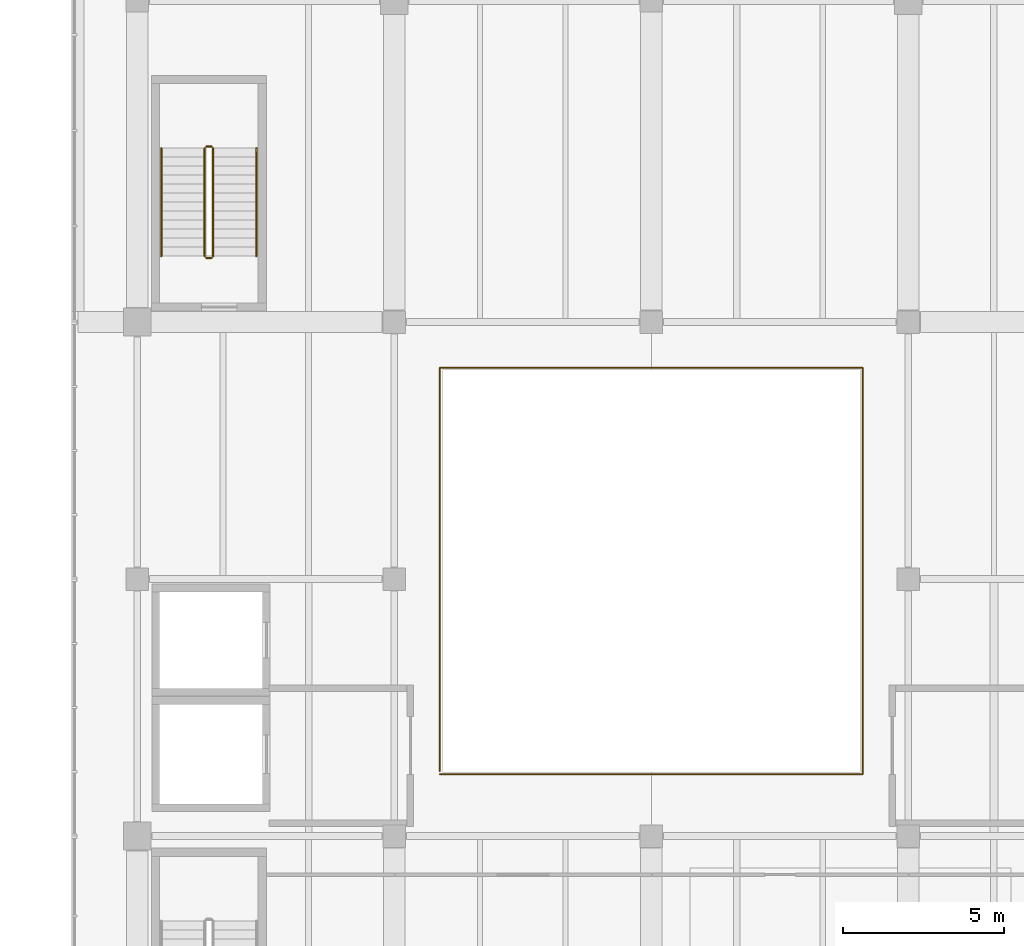
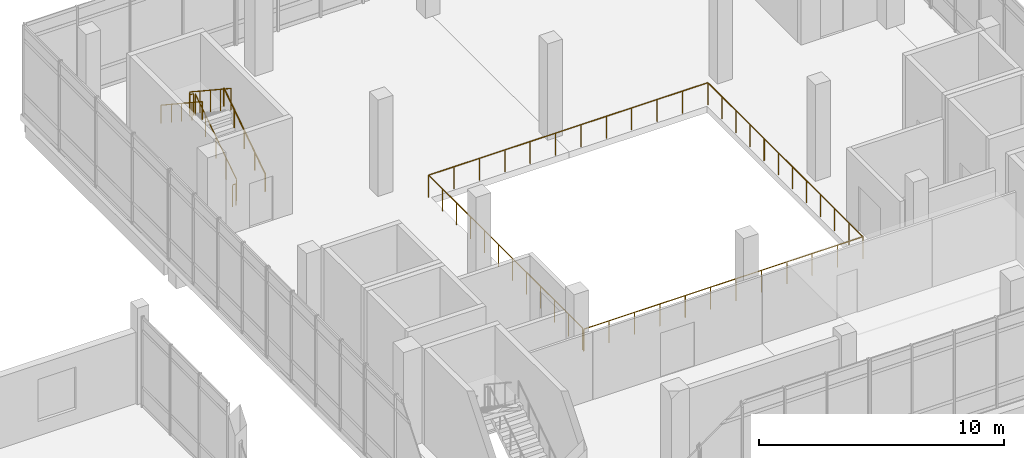
# One storey, part 45 of 47: 7 railings.
"""IFC4 building model written with IfcOpenShell, lengths in metres."""

from ifc_helpers import new_model, si_unit, direction, frame, origin, origin_2d, place, context, subcontext, project, spatial, circle, extrude, material, type_object, element, save


model = new_model("IFC4")

# Units and contexts
model_context = context("Model", 3, precision=1e-05, world=origin(), true_north=direction((0.0, 1.0)))
body_context = subcontext(model_context, "Body", "Model", "MODEL_VIEW")
ifc_project = project(units=[si_unit("LENGTHUNIT", "METRE"), si_unit("AREAUNIT", "SQUARE_METRE"), si_unit("VOLUMEUNIT", "CUBIC_METRE"), si_unit("PLANEANGLEUNIT", "RADIAN"), si_unit("MASSUNIT", "GRAM", prefix="KILO")], contexts=[model_context])

# Site, building, storey
site_placement = place(None, origin())
site = spatial("IfcSite", under=ifc_project, at=site_placement, CompositionType="ELEMENT")
building_placement = place(site_placement, origin())
building = spatial("IfcBuilding", under=site, at=building_placement, Name="Pecanmere Concourse Central Library", CompositionType="ELEMENT")
storey_placement = place(building_placement, frame((0.0, 0.0, 15.300048828125)))
storey = spatial("IfcBuildingStorey", under=building, at=storey_placement, Name="L04", CompositionType="ELEMENT", Elevation=15.300048828125)

# Railings
ifc_material_1 = material(Name="Architectural anodized bronze")
railing_type_1 = type_object("IfcRailingType", Name="RAIL_ATRIUM_BAL", PredefinedType="BALUSTRADE", material=ifc_material_1)
railing_1_placement = place(storey_placement, frame((81.419921875, 99.919921875, 0.0)))
element("IfcRailing", 1, at=railing_1_placement, inside=storey, type_object=railing_type_1, Name="Atrium Void Balustrade L04", PredefinedType="BALUSTRADE", context=body_context, shape_type="SweptSolid", body=[
    extrude(circle(Radius=0.02392578125, at=origin_2d()), frame((0.0, 0.0, 1.09619140625), z_axis=(1.0, 0.0, 0.0), x_axis=(0.0, 1.0, 0.0)), (0.0, 0.0, 1.0), 13.16015625),
    extrude(circle(Radius=0.02392578125, at=origin_2d()), frame((13.16015625, 0.0, 1.09619140625), z_axis=(0.0, 1.0, 0.0), x_axis=(-1.0, 0.0, 0.0)), (0.0, 0.0, 1.0), 12.66015625),
    extrude(circle(Radius=0.02392578125, at=origin_2d()), frame((13.16015625, 12.66015625, 1.09619140625), z_axis=(-1.0, 0.0, 0.0), x_axis=(0.0, -1.0, 0.0)), (0.0, 0.0, 1.0), 13.16015625),
    extrude(circle(Radius=0.02392578125, at=origin_2d()), frame((0.0, 12.66015625, 1.09619140625), z_axis=(0.0, -1.0, 0.0), x_axis=(1.0, 0.0, 0.0)), (0.0, 0.0, 1.0), 12.56005859375),
    extrude(circle(Radius=0.02099609375, at=origin_2d()), origin(), (0.0, 0.0, 1.0), 1.072021484375),
    extrude(circle(Radius=0.02099609375, at=origin_2d()), frame((1.1962890625, 0.0, 0.0)), (0.0, 0.0, 1.0), 1.072021484375),
    extrude(circle(Radius=0.02099609375, at=origin_2d()), frame((2.392822265625, 0.0, 0.0)), (0.0, 0.0, 1.0), 1.072021484375),
    extrude(circle(Radius=0.02099609375, at=origin_2d()), frame((3.589111328125, 0.0, 0.0)), (0.0, 0.0, 1.0), 1.072021484375),
    extrude(circle(Radius=0.02099609375, at=origin_2d()), frame((4.785400390625, 0.0, 0.0)), (0.0, 0.0, 1.0), 1.072021484375),
    extrude(circle(Radius=0.02099609375, at=origin_2d()), frame((5.98193359375, 0.0, 0.0)), (0.0, 0.0, 1.0), 1.072021484375),
    extrude(circle(Radius=0.02099609375, at=origin_2d()), frame((7.17822265625, 0.0, 0.0)), (0.0, 0.0, 1.0), 1.072021484375),
    extrude(circle(Radius=0.02099609375, at=origin_2d()), frame((8.374755859375, 0.0, 0.0)), (0.0, 0.0, 1.0), 1.072021484375),
    extrude(circle(Radius=0.02099609375, at=origin_2d()), frame((9.571044921875, 0.0, 0.0)), (0.0, 0.0, 1.0), 1.072021484375),
    extrude(circle(Radius=0.02099609375, at=origin_2d()), frame((10.767333984375, 0.0, 0.0)), (0.0, 0.0, 1.0), 1.072021484375),
    extrude(circle(Radius=0.02099609375, at=origin_2d()), frame((11.9638671875, 0.0, 0.0)), (0.0, 0.0, 1.0), 1.072021484375),
    extrude(circle(Radius=0.02099609375, at=origin_2d()), frame((13.16015625, 0.0, 0.0)), (0.0, 0.0, 1.0), 1.072021484375),
    extrude(circle(Radius=0.02099609375, at=origin_2d()), frame((13.16015625, 1.15087890625, 0.0)), (0.0, 0.0, 1.0), 1.072021484375),
    extrude(circle(Radius=0.02099609375, at=origin_2d()), frame((13.16015625, 2.3017578125, 0.0)), (0.0, 0.0, 1.0), 1.072021484375),
    extrude(circle(Radius=0.02099609375, at=origin_2d()), frame((13.16015625, 3.452880859375, 0.0)), (0.0, 0.0, 1.0), 1.072021484375),
    extrude(circle(Radius=0.02099609375, at=origin_2d()), frame((13.16015625, 4.603759765625, 0.0)), (0.0, 0.0, 1.0), 1.072021484375),
    extrude(circle(Radius=0.02099609375, at=origin_2d()), frame((13.16015625, 5.754638671875, 0.0)), (0.0, 0.0, 1.0), 1.072021484375),
    extrude(circle(Radius=0.02099609375, at=origin_2d()), frame((13.16015625, 6.905517578125, 0.0)), (0.0, 0.0, 1.0), 1.072021484375),
    extrude(circle(Radius=0.02099609375, at=origin_2d()), frame((13.16015625, 8.056396484375, 0.0)), (0.0, 0.0, 1.0), 1.072021484375),
    extrude(circle(Radius=0.02099609375, at=origin_2d()), frame((13.16015625, 9.207275390625, 0.0)), (0.0, 0.0, 1.0), 1.072021484375),
    extrude(circle(Radius=0.02099609375, at=origin_2d()), frame((13.16015625, 10.3583984375, 0.0)), (0.0, 0.0, 1.0), 1.072021484375),
    extrude(circle(Radius=0.02099609375, at=origin_2d()), frame((13.16015625, 11.50927734375, 0.0)), (0.0, 0.0, 1.0), 1.072021484375),
    extrude(circle(Radius=0.02099609375, at=origin_2d()), frame((13.16015625, 12.66015625, 0.0)), (0.0, 0.0, 1.0), 1.072021484375),
    extrude(circle(Radius=0.02099609375, at=origin_2d()), frame((11.9638671875, 12.66015625, 0.0)), (0.0, 0.0, 1.0), 1.072021484375),
    extrude(circle(Radius=0.02099609375, at=origin_2d()), frame((10.767333984375, 12.66015625, 0.0)), (0.0, 0.0, 1.0), 1.072021484375),
    extrude(circle(Radius=0.02099609375, at=origin_2d()), frame((9.571044921875, 12.66015625, 0.0)), (0.0, 0.0, 1.0), 1.072021484375),
    extrude(circle(Radius=0.02099609375, at=origin_2d()), frame((8.374755859375, 12.66015625, 0.0)), (0.0, 0.0, 1.0), 1.072021484375),
    extrude(circle(Radius=0.02099609375, at=origin_2d()), frame((7.17822265625, 12.66015625, 0.0)), (0.0, 0.0, 1.0), 1.072021484375),
    extrude(circle(Radius=0.02099609375, at=origin_2d()), frame((5.98193359375, 12.66015625, 0.0)), (0.0, 0.0, 1.0), 1.072021484375),
    extrude(circle(Radius=0.02099609375, at=origin_2d()), frame((4.785400390625, 12.66015625, 0.0)), (0.0, 0.0, 1.0), 1.072021484375),
    extrude(circle(Radius=0.02099609375, at=origin_2d()), frame((3.589111328125, 12.66015625, 0.0)), (0.0, 0.0, 1.0), 1.072021484375),
    extrude(circle(Radius=0.02099609375, at=origin_2d()), frame((2.392822265625, 12.66015625, 0.0)), (0.0, 0.0, 1.0), 1.072021484375),
    extrude(circle(Radius=0.02099609375, at=origin_2d()), frame((1.1962890625, 12.66015625, 0.0)), (0.0, 0.0, 1.0), 1.072021484375),
    extrude(circle(Radius=0.02099609375, at=origin_2d()), frame((0.0, 12.66015625, 0.0)), (0.0, 0.0, 1.0), 1.072021484375),
    extrude(circle(Radius=0.02099609375, at=origin_2d()), frame((0.0, 11.518310546875, 0.0)), (0.0, 0.0, 1.0), 1.072021484375),
    extrude(circle(Radius=0.02099609375, at=origin_2d()), frame((0.0, 10.37646484375, 0.0)), (0.0, 0.0, 1.0), 1.072021484375),
    extrude(circle(Radius=0.02099609375, at=origin_2d()), frame((0.0, 9.234619140625, 0.0)), (0.0, 0.0, 1.0), 1.072021484375),
    extrude(circle(Radius=0.02099609375, at=origin_2d()), frame((0.0, 8.0927734375, 0.0)), (0.0, 0.0, 1.0), 1.072021484375),
    extrude(circle(Radius=0.02099609375, at=origin_2d()), frame((0.0, 6.950927734375, 0.0)), (0.0, 0.0, 1.0), 1.072021484375),
    extrude(circle(Radius=0.02099609375, at=origin_2d()), frame((0.0, 5.809326171875, 0.0)), (0.0, 0.0, 1.0), 1.072021484375),
    extrude(circle(Radius=0.02099609375, at=origin_2d()), frame((0.0, 4.66748046875, 0.0)), (0.0, 0.0, 1.0), 1.072021484375),
    extrude(circle(Radius=0.02099609375, at=origin_2d()), frame((0.0, 3.525634765625, 0.0)), (0.0, 0.0, 1.0), 1.072021484375),
    extrude(circle(Radius=0.02099609375, at=origin_2d()), frame((0.0, 2.3837890625, 0.0)), (0.0, 0.0, 1.0), 1.072021484375),
    extrude(circle(Radius=0.02099609375, at=origin_2d()), frame((0.0, 1.241943359375, 0.0)), (0.0, 0.0, 1.0), 1.072021484375),
    extrude(circle(Radius=0.02099609375, at=origin_2d()), frame((0.0, 0.10009765625, 0.0)), (0.0, 0.0, 1.0), 1.072021484375),
])
ifc_material_2 = material(Name="Painted architectural steel ASTM A36", Category="steel")
railing_type_2 = type_object("IfcRailingType", Name="RAIL_STAIR_GUARD", PredefinedType="GUARDRAIL", material=ifc_material_2)
railing_2_placement = place(storey_placement, frame((74.360107421875, 116.050048828125, 0.1845703125)))
element("IfcRailing", 2, at=railing_2_placement, inside=storey, type_object=railing_type_2, Name="L04 ST-03 Guard 1", PredefinedType="GUARDRAIL", context=body_context, shape_type="SweptSolid", body=[
    extrude(circle(Radius=0.02392578125, at=origin_2d()), frame((0.0, 0.0, 1.076171875), z_axis=(0.0, 0.834858096282, 0.550465220583), x_axis=(-1.0, 0.0, 0.0)), (0.0, 0.0, 1.0), 4.0244140625),
    extrude(circle(Radius=0.02099609375, at=origin_2d()), origin(), (0.0, 0.0, 1.0), 1.052001953125),
    extrude(circle(Radius=0.02099609375, at=origin_2d()), frame((0.0, 0.83984375, 0.5537109375)), (0.0, 0.0, 1.0), 1.052001953125),
    extrude(circle(Radius=0.02099609375, at=origin_2d()), frame((0.0, 1.679931640625, 1.107666015625)), (0.0, 0.0, 1.0), 1.052001953125),
    extrude(circle(Radius=0.02099609375, at=origin_2d()), frame((0.0, 2.52001953125, 1.66162109375)), (0.0, 0.0, 1.0), 1.052001953125),
    extrude(circle(Radius=0.02099609375, at=origin_2d()), frame((0.0, 3.35986328125, 2.21533203125)), (0.0, 0.0, 1.0), 1.052001953125),
])
railing_3_placement = place(storey_placement, frame((74.31005859375, 119.4599609375, 2.39990234375)))
element("IfcRailing", 3, at=railing_3_placement, inside=storey, type_object=railing_type_2, Name="L04 ST-03 Guard 2", PredefinedType="GUARDRAIL", context=body_context, shape_type="SweptSolid", body=[
    extrude(circle(Radius=0.02392578125, at=origin_2d()), frame((0.0, 0.0, 1.076171875), z_axis=(-1.0, 0.0, 0.0), x_axis=(0.0, -1.0, 0.0)), (0.0, 0.0, 1.0), 0.16015625),
    extrude(circle(Radius=0.02099609375, at=origin_2d()), origin(), (0.0, 0.0, 1.0), 1.052001953125),
    extrude(circle(Radius=0.02099609375, at=origin_2d()), frame((-0.16015625, 0.0, 0.0)), (0.0, 0.0, 1.0), 1.052001953125),
])
railing_4_placement = place(storey_placement, frame((74.10009765625, 119.409912109375, 2.58447265625)))
element("IfcRailing", 4, at=railing_4_placement, inside=storey, type_object=railing_type_2, Name="L04 ST-03 Guard 3", PredefinedType="GUARDRAIL", context=body_context, shape_type="SweptSolid", body=[
    extrude(circle(Radius=0.02392578125, at=origin_2d()), frame((0.0, 0.0, 1.076171875), z_axis=(0.0, -0.83483021737, 0.550507500554), x_axis=(1.0, 0.0, 0.0)), (0.0, 0.0, 1.0), 4.024658203125),
    extrude(circle(Radius=0.02099609375, at=origin_2d()), origin(), (0.0, 0.0, 1.0), 1.052001953125),
    extrude(circle(Radius=0.02099609375, at=origin_2d()), frame((0.0, -0.83984375, 0.553955078125)), (0.0, 0.0, 1.0), 1.052001953125),
    extrude(circle(Radius=0.02099609375, at=origin_2d()), frame((0.0, -1.679931640625, 1.10791015625)), (0.0, 0.0, 1.0), 1.052001953125),
    extrude(circle(Radius=0.02099609375, at=origin_2d()), frame((0.0, -2.52001953125, 1.66162109375)), (0.0, 0.0, 1.0), 1.052001953125),
    extrude(circle(Radius=0.02099609375, at=origin_2d()), frame((0.0, -3.35986328125, 2.215576171875)), (0.0, 0.0, 1.0), 1.052001953125),
])
railing_5_placement = place(storey_placement, frame((74.31005859375, 116.0, 0.0)))
element("IfcRailing", 5, at=railing_5_placement, inside=storey, type_object=railing_type_2, Name="L04 ST-03 Guard 4", PredefinedType="GUARDRAIL", context=body_context, shape_type="SweptSolid", body=[
    extrude(circle(Radius=0.02392578125, at=origin_2d()), frame((0.0, 0.0, 1.076171875), z_axis=(-1.0, 0.0, 0.0), x_axis=(0.0, -1.0, 0.0)), (0.0, 0.0, 1.0), 0.16015625),
    extrude(circle(Radius=0.02099609375, at=origin_2d()), origin(), (0.0, 0.0, 1.0), 1.052001953125),
    extrude(circle(Radius=0.02099609375, at=origin_2d()), frame((-0.16015625, 0.0, 0.0)), (0.0, 0.0, 1.0), 1.052001953125),
])
ifc_material_3 = material(Name="Brushed stainless steel Grade 316", Category="steel")
railing_type_3 = type_object("IfcRailingType", Name="RAIL_STAIR_HR", PredefinedType="HANDRAIL", material=ifc_material_3)
railing_6_placement = place(storey_placement, frame((75.7099609375, 116.050048828125, 0.1845703125)))
element("IfcRailing", 6, at=railing_6_placement, inside=storey, type_object=railing_type_3, Name="L04 ST-03 Handrail 1", PredefinedType="HANDRAIL", context=body_context, shape_type="SweptSolid", body=[
    extrude(circle(Radius=0.02392578125, at=origin_2d()), frame((0.0, 0.0, 0.89111328125), z_axis=(0.0, 0.834858096282, 0.550465220583), x_axis=(-1.0, 0.0, 0.0)), (0.0, 0.0, 1.0), 4.0244140625),
    extrude(circle(Radius=0.02099609375, at=origin_2d()), origin(), (0.0, 0.0, 1.0), 0.866943359375),
    extrude(circle(Radius=0.02099609375, at=origin_2d()), frame((0.0, 0.83984375, 0.5537109375)), (0.0, 0.0, 1.0), 0.866943359375),
    extrude(circle(Radius=0.02099609375, at=origin_2d()), frame((0.0, 1.679931640625, 1.107666015625)), (0.0, 0.0, 1.0), 0.866943359375),
    extrude(circle(Radius=0.02099609375, at=origin_2d()), frame((0.0, 2.52001953125, 1.66162109375)), (0.0, 0.0, 1.0), 0.866943359375),
    extrude(circle(Radius=0.02099609375, at=origin_2d()), frame((0.0, 3.35986328125, 2.21533203125)), (0.0, 0.0, 1.0), 0.866943359375),
])
railing_7_placement = place(storey_placement, frame((72.75, 119.409912109375, 2.58447265625)))
element("IfcRailing", 7, at=railing_7_placement, inside=storey, type_object=railing_type_3, Name="L04 ST-03 Handrail 2", PredefinedType="HANDRAIL", context=body_context, shape_type="SweptSolid", body=[
    extrude(circle(Radius=0.02392578125, at=origin_2d()), frame((0.0, 0.0, 0.89111328125), z_axis=(0.0, -0.83483021737, 0.550507500554), x_axis=(1.0, 0.0, 0.0)), (0.0, 0.0, 1.0), 4.024658203125),
    extrude(circle(Radius=0.02099609375, at=origin_2d()), origin(), (0.0, 0.0, 1.0), 0.866943359375),
    extrude(circle(Radius=0.02099609375, at=origin_2d()), frame((0.0, -0.83984375, 0.553955078125)), (0.0, 0.0, 1.0), 0.866943359375),
    extrude(circle(Radius=0.02099609375, at=origin_2d()), frame((0.0, -1.679931640625, 1.10791015625)), (0.0, 0.0, 1.0), 0.866943359375),
    extrude(circle(Radius=0.02099609375, at=origin_2d()), frame((0.0, -2.52001953125, 1.66162109375)), (0.0, 0.0, 1.0), 0.866943359375),
    extrude(circle(Radius=0.02099609375, at=origin_2d()), frame((0.0, -3.35986328125, 2.215576171875)), (0.0, 0.0, 1.0), 0.866943359375),
])

save(model, "model.ifc")
